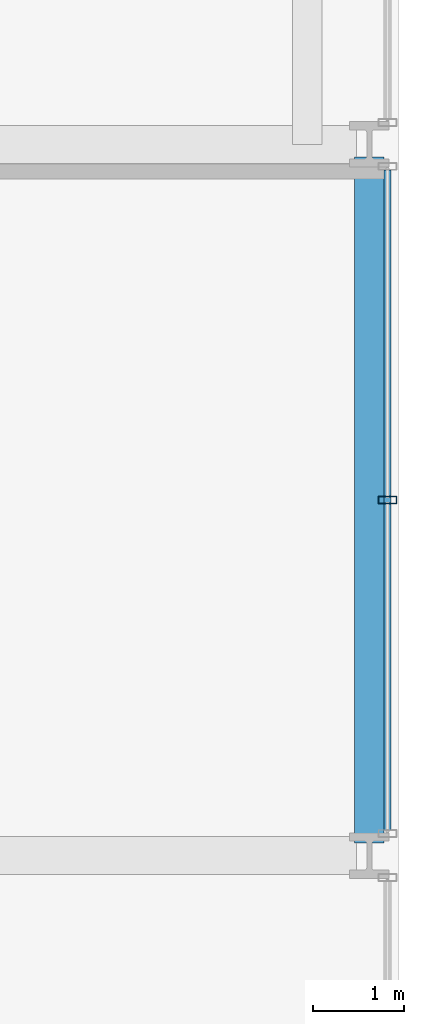
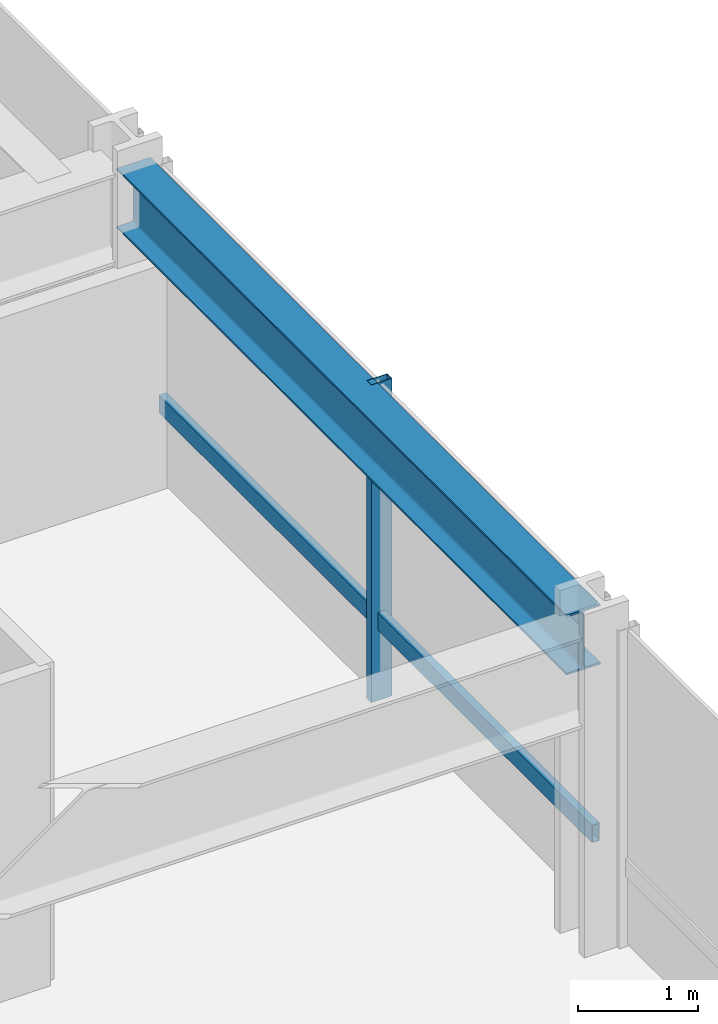
# One storey, part 14 of 39: 2 members, 1 beam, 1 element without a shape of its own.
"""IFC4 building model written with IfcOpenShell, lengths in metres."""

from ifc_helpers import new_model, si_unit, direction, frame, origin, origin_2d, place, context, subcontext, project, spatial, hollow_rectangle, i_section, extrude, material, layer, layer_set, material_profile, profile_set, type_object, element, aggregate, save


model = new_model("IFC4")

# Units and contexts
model_context = context("Model", 3, precision=1e-05, world=origin(), true_north=direction((0.0, 1.0)))
body_context = subcontext(model_context, "Body", "Model", "MODEL_VIEW")
ifc_project = project(units=[si_unit("LENGTHUNIT", "METRE"), si_unit("AREAUNIT", "SQUARE_METRE"), si_unit("VOLUMEUNIT", "CUBIC_METRE"), si_unit("PLANEANGLEUNIT", "RADIAN"), si_unit("MASSUNIT", "GRAM", prefix="KILO")], contexts=[model_context])

# Site, building, storey
site_placement = place(None, origin())
site = spatial("IfcSite", under=ifc_project, at=site_placement, CompositionType="ELEMENT")
building_placement = place(site_placement, origin())
building = spatial("IfcBuilding", under=site, at=building_placement, Name="Drelvath Grand Hotel", CompositionType="ELEMENT")
storey_placement = place(building_placement, frame((0.0, 0.0, 40.199951171875)))
storey = spatial("IfcBuildingStorey", under=building, at=storey_placement, Name="L08", CompositionType="ELEMENT", Elevation=40.199951171875)

# Curtain wall, members
ifc_material_1 = material(Name="Warm Bronze Anodised Aluminium Frame", Category="aluminium")
ifc_layer = layer(ifc_material_1, 0.199951171875)
ifc_layer_set = layer_set([ifc_layer], Name="Warm Bronze Anodised Aluminium Frame")
curtain_wall_type = type_object("IfcCurtainWallType", Name="Stick Curtain Wall CW-02 Warm Bronze Low-Rise", PredefinedType="NOTDEFINED", material=ifc_layer_set)
curtain_wall_placement = place(storey_placement, origin())
curtain_wall = element("IfcCurtainWall", 1, at=curtain_wall_placement, inside=storey, type_object=curtain_wall_type, Name="L08 CW-02 Curtain Wall CW02-L08-ES2", PredefinedType="NOTDEFINED")
ifc_material_profile_1 = material_profile(ifc_material_1, hollow_rectangle(XDim=0.074951171875, YDim=0.179931640625, WallThickness=0.0048828125, at=origin_2d()), Name="HSS180X75X5")
ifc_profile_set_1 = profile_set([ifc_material_profile_1], Name="Warm Bronze Anodised Aluminium Frame")
member_type_1 = type_object("IfcMemberType", Name="Curtain Wall Horizontal Transom CW-02 HSS180X75X5", PredefinedType="USERDEFINED", material=ifc_profile_set_1)
member_1_placement = place(storey_placement, frame((26.8798828125, 18.319091796875, 0.81005859375), z_axis=(0.0, -1.0, 0.0), x_axis=(1.0, 0.0, 0.0)))
member_1 = element("IfcMember", 2, at=member_1_placement, type_object=member_type_1, Name="CW02-L08-ES2 Sill Transom", ObjectType="TRANSOM", PredefinedType="USERDEFINED", context=body_context, shape_type="SweptSolid", body=[
    extrude(hollow_rectangle(XDim=0.074951171875, YDim=0.179931640625, WallThickness=0.0048828125, at=origin_2d()), origin(), (0.0, 0.0, 1.0), 7.23828125),
])
ifc_material_profile_2 = material_profile(ifc_material_1, hollow_rectangle(XDim=0.080078125, YDim=0.199951171875, WallThickness=0.0048828125, at=origin_2d()), Name="HSS200X80X5")
ifc_profile_set_2 = profile_set([ifc_material_profile_2], Name="Warm Bronze Anodised Aluminium Frame")
member_type_2 = type_object("IfcMemberType", Name="Curtain Wall Vertical Mullion CW-02 HSS200X80X5", PredefinedType="MULLION", material=ifc_profile_set_2)
member_2_placement = place(storey_placement, frame((26.8798828125, 14.699951171875, 0.0), z_axis=(0.0, 0.0, 1.0), x_axis=(0.0, 1.0, 0.0)))
member_2 = element("IfcMember", 3, at=member_2_placement, type_object=member_type_2, Name="CW02-L08-ES2 Mullion 2", PredefinedType="MULLION", context=body_context, shape_type="SweptSolid", body=[
    extrude(hollow_rectangle(XDim=0.080078125, YDim=0.199951171875, WallThickness=0.0048828125, at=origin_2d()), origin(), (0.0, 0.0, 1.0), 3.239990234375),
])
aggregate(curtain_wall, [member_2, member_1])

# Beam
ifc_material_2 = material(Name="Steel ASTM A992 Gr 50", Category="steel")
ifc_material_profile_3 = material_profile(ifc_material_2, i_section(OverallWidth=0.323974609375, OverallDepth=0.611083984375, WebThickness=0.0126953125, FlangeThickness=0.01904296875, FilletRadius=0.02197265625, at=origin_2d()), Name="W24X104")
ifc_profile_set_3 = profile_set([ifc_material_profile_3], Name="Steel ASTM A992 Gr 50")
beam_type = type_object("IfcBeamType", Name="Perimeter Spandrel Beam W24X104", PredefinedType="SPANDREL", material=ifc_profile_set_3)
beam_placement = place(storey_placement, frame((26.679931640625, 10.93994140625, 2.9345703125), z_axis=(0.0, 1.0, 0.0), x_axis=(-1.0, 0.0, 0.0)))
element("IfcBeam", 4, at=beam_placement, inside=storey, type_object=beam_type, Name="L08 Spandrel East S", PredefinedType="SPANDREL", context=body_context, shape_type="SweptSolid", body=[
    extrude(i_section(OverallWidth=0.323974609375, OverallDepth=0.611083984375, WebThickness=0.0126953125, FlangeThickness=0.01904296875, FilletRadius=0.02197265625, at=origin_2d()), origin(), (0.0, 0.0, 1.0), 7.52001953125),
])

save(model, "model.ifc")
